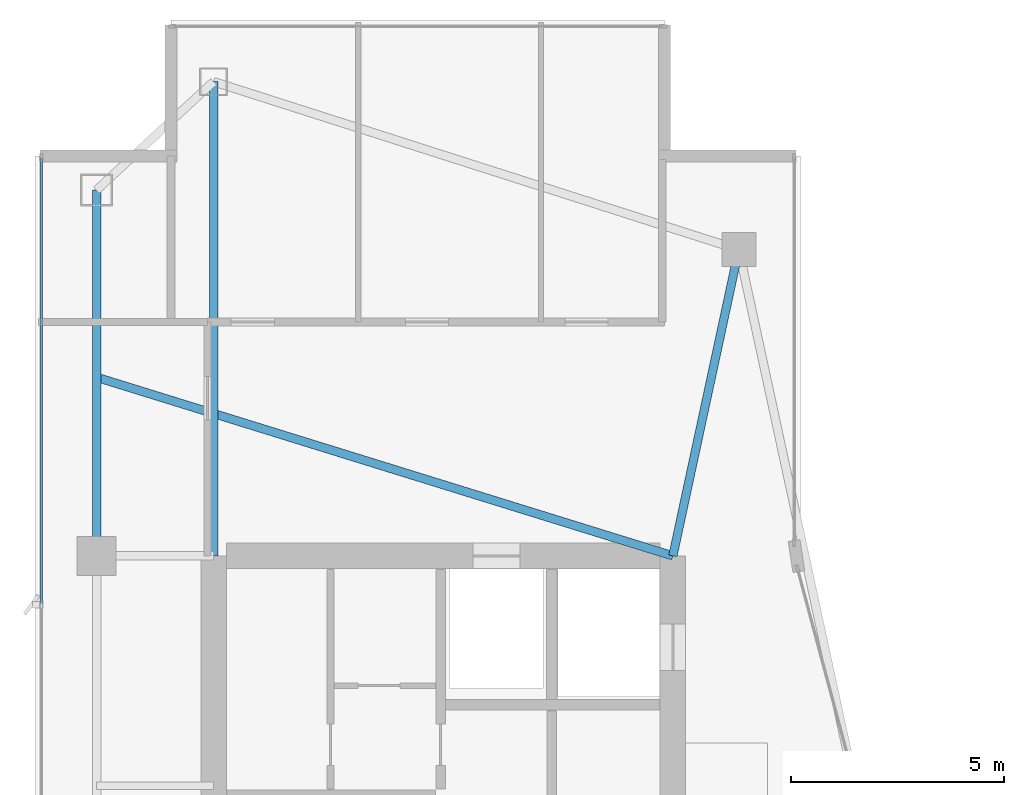
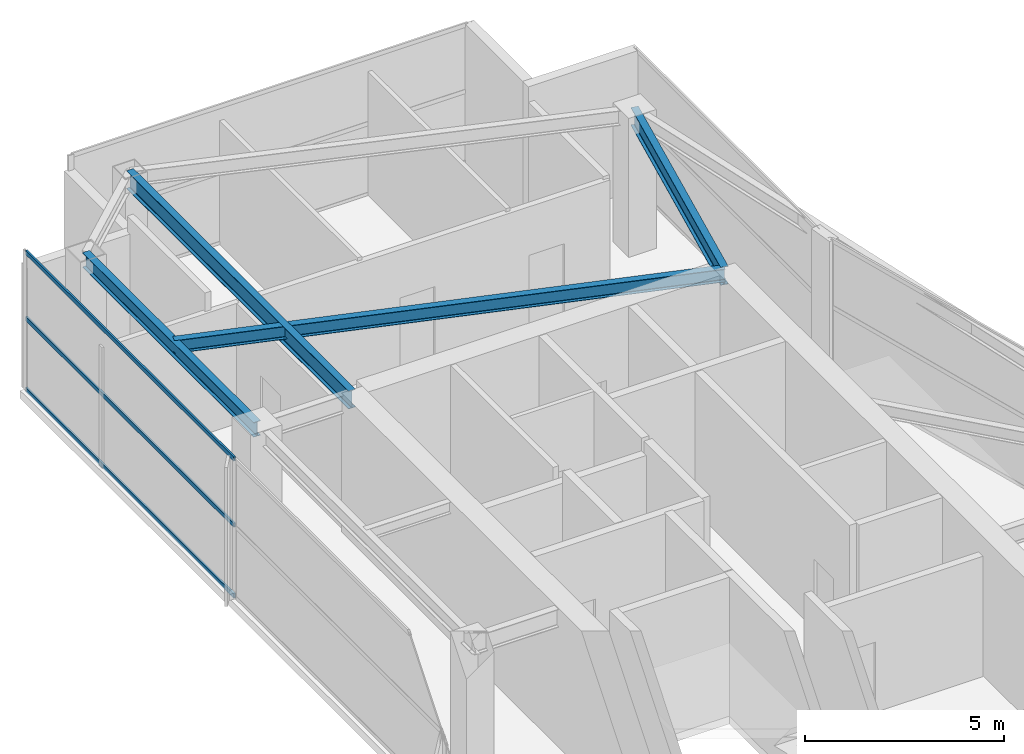
# One storey, part 15 of 25: 4 beams, 3 members, 1 element without a shape of its own.
"""IFC4 building model written with IfcOpenShell, lengths in metres."""

from ifc_helpers import new_model, si_unit, direction, frame, origin, origin_2d, place, context, subcontext, project, spatial, hollow_rectangle, i_section, extrude, material, layer, layer_set, material_profile, profile_set, type_object, element, aggregate, save


model = new_model("IFC4")

# Units and contexts
model_context = context("Model", 3, precision=1e-05, world=origin(), true_north=direction((0.0, 1.0)))
body_context = subcontext(model_context, "Body", "Model", "MODEL_VIEW")
ifc_project = project(units=[si_unit("LENGTHUNIT", "METRE"), si_unit("AREAUNIT", "SQUARE_METRE"), si_unit("VOLUMEUNIT", "CUBIC_METRE"), si_unit("PLANEANGLEUNIT", "RADIAN"), si_unit("MASSUNIT", "GRAM", prefix="KILO")], contexts=[model_context])

# Site, building, storey
site_placement = place(None, origin())
site = spatial("IfcSite", under=ifc_project, at=site_placement, CompositionType="ELEMENT")
building_placement = place(site_placement, origin())
building = spatial("IfcBuilding", under=site, at=building_placement, Name="Calvorn Quay Hotel", CompositionType="ELEMENT")
storey_placement = place(building_placement, frame((0.0, 0.0, 311.5)))
storey = spatial("IfcBuildingStorey", under=building, at=storey_placement, Name="L77", CompositionType="ELEMENT", Elevation=311.5)

# Beams
ifc_material_1 = material(Name="Steel Q355B", Category="steel")
ifc_material_profile_1 = material_profile(ifc_material_1, i_section(OverallWidth=0.199951171875, OverallDepth=0.550048828125, WebThickness=0.010009765625, FlangeThickness=0.01611328125, FilletRadius=0.01806640625, at=origin_2d()), Name="HN550x200x10x16")
ifc_profile_set_1 = profile_set([ifc_material_profile_1], Name="Steel Q355B")
beam_type_1 = type_object("IfcBeamType", Name="BM-GIRD-UPP", PredefinedType="BEAM", material=ifc_profile_set_1)
beam_1_placement = place(storey_placement, frame((4.199951171875, 49.550048828125, 3.965087890625), z_axis=(0.0, -1.0, 0.0), x_axis=(1.0, 0.0, 0.0)))
element("IfcBeam", 1, at=beam_1_placement, inside=storey, type_object=beam_type_1, Name="Beam BG-L77-W5", PredefinedType="BEAM", context=body_context, shape_type="SweptSolid", body=[
    extrude(i_section(OverallWidth=0.199951171875, OverallDepth=0.550048828125, WebThickness=0.010009765625, FlangeThickness=0.01611328125, FilletRadius=0.01806640625, at=origin_2d()), origin(), (0.0, 0.0, 1.0), 11.150146484375),
])
beam_2_placement = place(storey_placement, frame((16.550048828125, 45.60009765625, 3.965087890625), z_axis=(-0.210457140491, -0.97760308511, 0.0), x_axis=(0.97760308511, -0.210457140491, 0.0)))
element("IfcBeam", 2, at=beam_2_placement, inside=storey, type_object=beam_type_1, Name="Beam BG-L77-W6", PredefinedType="BEAM", context=body_context, shape_type="SweptSolid", body=[
    extrude(i_section(OverallWidth=0.199951171875, OverallDepth=0.550048828125, WebThickness=0.010009765625, FlangeThickness=0.01611328125, FilletRadius=0.01806640625, at=origin_2d()), origin(), (0.0, 0.0, 1.0), 7.365234375),
])
ifc_material_2 = material(Name="Steel Q355B", Category="steel")
ifc_material_profile_2 = material_profile(ifc_material_2, i_section(OverallWidth=0.199951171875, OverallDepth=0.39990234375, WebThickness=0.008056640625, FlangeThickness=0.012939453125, FilletRadius=0.01611328125, at=origin_2d()), Name="HN400x200x8x13")
ifc_profile_set_2 = profile_set([ifc_material_profile_2], Name="Steel Q355B")
beam_type_2 = type_object("IfcBeamType", Name="BM-JOIST-TYP", PredefinedType="JOIST", material=ifc_profile_set_2)
beam_3_placement = place(storey_placement, frame((1.449951171875, 42.60009765625, 4.0400390625), z_axis=(0.955163702122, -0.296078202759, 0.0), x_axis=(0.296078202759, 0.955163702122, 0.0)))
element("IfcBeam", 3, at=beam_3_placement, inside=storey, type_object=beam_type_2, Name="Beam BJ-L77-W2", PredefinedType="JOIST", context=body_context, shape_type="SweptSolid", body=[
    extrude(i_section(OverallWidth=0.199951171875, OverallDepth=0.39990234375, WebThickness=0.008056640625, FlangeThickness=0.012939453125, FilletRadius=0.01611328125, at=origin_2d()), origin(), (0.0, 0.0, 1.0), 14.18603515625),
])
ifc_material_3 = material(Name="Steel Q355B", Category="steel")
ifc_material_profile_3 = material_profile(ifc_material_3, i_section(OverallWidth=0.199951171875, OverallDepth=0.449951171875, WebThickness=0.009033203125, FlangeThickness=0.013916015625, FilletRadius=0.01611328125, at=origin_2d()), Name="HN450x200x9x14")
ifc_profile_set_3 = profile_set([ifc_material_profile_3], Name="Steel Q355B")
beam_type_3 = type_object("IfcBeamType", Name="BM-SPANDREL-Z3", PredefinedType="SPANDREL", material=ifc_profile_set_3)
beam_4_placement = place(storey_placement, frame((1.449951171875, 38.39990234375, 4.014892578125), z_axis=(0.0, 1.0, 0.0), x_axis=(-1.0, 0.0, 0.0)))
element("IfcBeam", 4, at=beam_4_placement, inside=storey, type_object=beam_type_3, Name="Beam BSP-L77-W4", PredefinedType="SPANDREL", context=body_context, shape_type="SweptSolid", body=[
    extrude(i_section(OverallWidth=0.199951171875, OverallDepth=0.449951171875, WebThickness=0.009033203125, FlangeThickness=0.013916015625, FilletRadius=0.01611328125, at=origin_2d()), origin(), (0.0, 0.0, 1.0), 8.60009765625),
])

# Curtain wall, members
ifc_material_4 = material(Name="Champagne Bronze Anodised Aluminium and Low-E Glass", Category="aluminium")
ifc_layer = layer(ifc_material_4, 0.219970703125)
ifc_layer_set = layer_set([ifc_layer], Name="CW-SYS-Z4")
curtain_wall_type = type_object("IfcCurtainWallType", Name="CW-SYS-Z4", PredefinedType="NOTDEFINED", material=ifc_layer_set)
curtain_wall_placement = place(storey_placement, origin())
curtain_wall = element("IfcCurtainWall", 5, at=curtain_wall_placement, inside=storey, type_object=curtain_wall_type, Name="Tower West Curtain Wall (L77)", PredefinedType="NOTDEFINED")
ifc_material_5 = material(Name="Champagne Bronze Anodised Aluminium 6063-T6", Category="aluminium")
ifc_material_profile_4 = material_profile(ifc_material_5, hollow_rectangle(XDim=0.054931640625, YDim=0.1298828125, WallThickness=0.003173828125, at=origin_2d()), Name="ALU-T130x55x3.2")
ifc_profile_set_4 = profile_set([ifc_material_profile_4], Name="Champagne Bronze Anodised Aluminium 6063-T6")
member_type = type_object("IfcMemberType", Name="CW-SYS-Z4-TRN", PredefinedType="USERDEFINED", material=ifc_profile_set_4)
member_1_placement = place(storey_placement, frame((0.14990234375, 37.280029296875, 0.030029296875), z_axis=(0.0, 1.0, 0.0), x_axis=(-1.0, 0.0, 0.0)))
member_1 = element("IfcMember", 6, at=member_1_placement, type_object=member_type, Name="CW-L77-W transom 4.1", ObjectType="TRANSOM", PredefinedType="USERDEFINED", context=body_context, shape_type="SweptSolid", body=[
    extrude(hollow_rectangle(XDim=0.054931640625, YDim=0.1298828125, WallThickness=0.003173828125, at=origin_2d()), origin(), (0.0, 0.0, 1.0), 10.4599609375),
])
member_2_placement = place(storey_placement, frame((0.14990234375, 37.280029296875, 2.199951171875), z_axis=(0.0, 1.0, 0.0), x_axis=(-1.0, 0.0, 0.0)))
member_2 = element("IfcMember", 7, at=member_2_placement, type_object=member_type, Name="CW-L77-W transom 4.2", ObjectType="TRANSOM", PredefinedType="USERDEFINED", context=body_context, shape_type="SweptSolid", body=[
    extrude(hollow_rectangle(XDim=0.054931640625, YDim=0.1298828125, WallThickness=0.003173828125, at=origin_2d()), origin(), (0.0, 0.0, 1.0), 10.4599609375),
])
member_3_placement = place(storey_placement, frame((0.14990234375, 37.280029296875, 4.22998046875), z_axis=(0.0, 1.0, 0.0), x_axis=(-1.0, 0.0, 0.0)))
member_3 = element("IfcMember", 8, at=member_3_placement, type_object=member_type, Name="CW-L77-W transom 4.3", ObjectType="TRANSOM", PredefinedType="USERDEFINED", context=body_context, shape_type="SweptSolid", body=[
    extrude(hollow_rectangle(XDim=0.054931640625, YDim=0.1298828125, WallThickness=0.003173828125, at=origin_2d()), origin(), (0.0, 0.0, 1.0), 10.4599609375),
])
aggregate(curtain_wall, [member_1, member_2, member_3])

save(model, "model.ifc")
